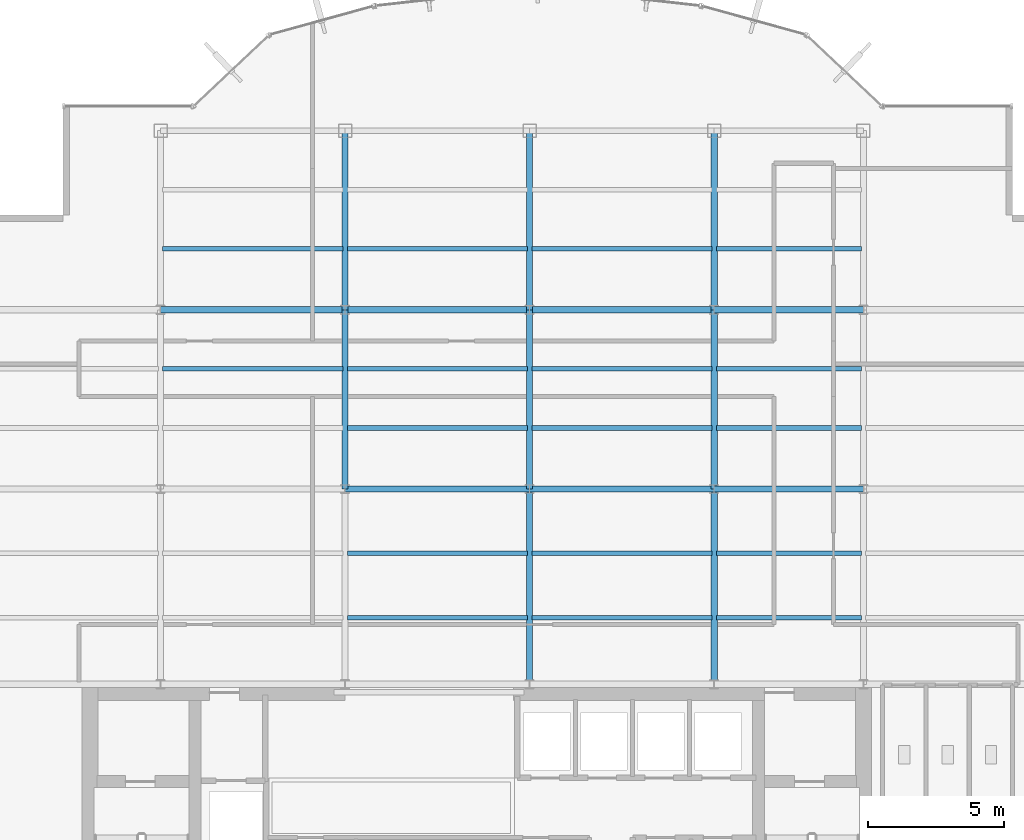
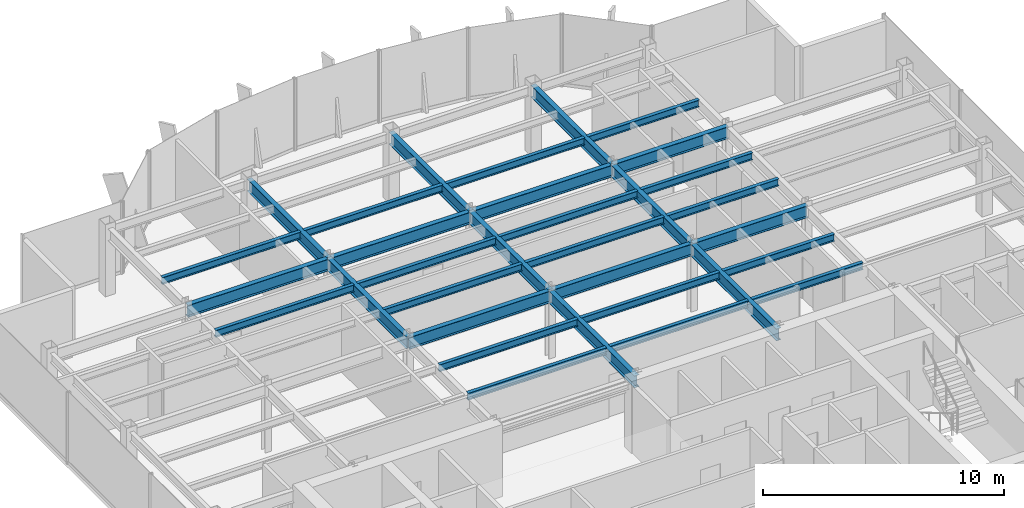
# One storey, part 8 of 22: 32 beams.
"""IFC4 building model written with IfcOpenShell, lengths in metres."""

from ifc_helpers import new_model, si_unit, derived_unit, direction, frame, origin, origin_2d, place, context, subcontext, project, spatial, i_section, extrude, source, transform, mapped, material, material_profile, profile_set, type_object, element, save


model = new_model("IFC4")

# Units and contexts
model_context = context("Model", 3, precision=1e-05, world=origin(), true_north=direction((0.0, 1.0)))
body_context = subcontext(model_context, "Body", "Model", "MODEL_VIEW")
ifc_project = project(units=[si_unit("LENGTHUNIT", "METRE"), si_unit("AREAUNIT", "SQUARE_METRE"), si_unit("VOLUMEUNIT", "CUBIC_METRE"), si_unit("PLANEANGLEUNIT", "RADIAN"), si_unit("MASSUNIT", "GRAM", prefix="KILO"), derived_unit("THERMALTRANSMITTANCEUNIT", [(si_unit("POWERUNIT", "WATT"), 1), (si_unit("LENGTHUNIT", "METRE"), -2), (si_unit("THERMODYNAMICTEMPERATUREUNIT", "KELVIN"), -1)])], contexts=[model_context])

# Site, building, storey
site_placement = place(None, origin())
site = spatial("IfcSite", under=ifc_project, at=site_placement, CompositionType="ELEMENT")
building_placement = place(site_placement, origin())
building = spatial("IfcBuilding", under=site, at=building_placement, Name="Skarnbrae Concourse Arena and Tower", CompositionType="ELEMENT")
storey_placement = place(building_placement, frame((0.0, 0.0, 221.449951171875)))
storey = spatial("IfcBuildingStorey", under=building, at=storey_placement, Name="L57", CompositionType="ELEMENT", Elevation=221.449951171875)

# Beams
ifc_material = material(Name="Steel CSA G40.21 350W", Category="steel")
ifc_material_profile_1 = material_profile(ifc_material, i_section(OverallWidth=0.22802734375, OverallDepth=0.60791015625, WebThickness=0.01123046875, FlangeThickness=0.017333984375, at=origin_2d()), Name="W610X113")
ifc_profile_set_1 = profile_set([ifc_material_profile_1], Name="Steel CSA G40.21 350W")
beam_type_1 = type_object("IfcBeamType", Name="BM-GIRD-W610X113", PredefinedType="BEAM", material=ifc_profile_set_1)
shared_shape_1 = source(origin(), body_context, "Body", "SweptSolid", [
    extrude(i_section(OverallWidth=0.22802734375, OverallDepth=0.60791015625, WebThickness=0.01123046875, FlangeThickness=0.017333984375, at=origin_2d()), origin(), (0.0, 0.0, 1.0), 6.60009765625),
])
for number, where, z_axis, x_axis, name in (
    (1, (14.39990234375, 21.199951171875, 3.095947265625), (0.0, 1.0, 0.0), (-1.0, 0.0, 0.0), "L57 Primary N-S girder X14.4-2"),
    (2, (21.199951171875, 21.199951171875, 3.095947265625), (0.0, 1.0, 0.0), (-1.0, 0.0, 0.0), "L57 Primary N-S girder X21.2-2"),
    (3, (28.0, 21.199951171875, 3.095947265625), (0.0, 1.0, 0.0), (-1.0, 0.0, 0.0), "L57 Primary N-S girder X28.0-2"),
):
    element("IfcBeam", number, at=place(storey_placement, frame(where, z_axis=z_axis, x_axis=x_axis)), inside=storey, type_object=beam_type_1, Name=name, PredefinedType="BEAM", context=body_context, shape_type="MappedRepresentation", body=[
        mapped(shared_shape_1, transform((0.0, 0.0, 0.0))),
    ])
shared_shape_2 = source(origin(), body_context, "Body", "SweptSolid", [
    extrude(i_section(OverallWidth=0.22802734375, OverallDepth=0.60791015625, WebThickness=0.01123046875, FlangeThickness=0.017333984375, at=origin_2d()), origin(), (0.0, 0.0, 1.0), 6.7998046875),
])
beam_placement = place(storey_placement, frame((7.60009765625, 27.800048828125, 3.095947265625), z_axis=(1.0, 0.0, 0.0), x_axis=(0.0, 1.0, 0.0)))
element("IfcBeam", 4, at=beam_placement, inside=storey, type_object=beam_type_1, Name="L57 Primary E-W girder Y27.8-2", PredefinedType="BEAM", context=body_context, shape_type="MappedRepresentation", body=[
    mapped(shared_shape_2, transform((0.0, 0.0, 0.0))),
])
shared_shape_3 = source(origin(), body_context, "Body", "SweptSolid", [
    extrude(i_section(OverallWidth=0.22802734375, OverallDepth=0.60791015625, WebThickness=0.01123046875, FlangeThickness=0.017333984375, at=origin_2d()), origin(), (0.0, 0.0, 1.0), 6.800048828125),
])
for number, where, z_axis, x_axis, name in (
    (5, (14.39990234375, 21.199951171875, 3.095947265625), (1.0, 0.0, 0.0), (0.0, 1.0, 0.0), "L57 Primary E-W girder Y21.2-3"),
    (6, (21.199951171875, 21.199951171875, 3.095947265625), (1.0, 0.0, 0.0), (0.0, 1.0, 0.0), "L57 Primary E-W girder Y21.2-4"),
    (7, (14.39990234375, 27.800048828125, 3.095947265625), (1.0, 0.0, 0.0), (0.0, 1.0, 0.0), "L57 Primary E-W girder Y27.8-3"),
    (8, (21.199951171875, 27.800048828125, 3.095947265625), (1.0, 0.0, 0.0), (0.0, 1.0, 0.0), "L57 Primary E-W girder Y27.8-4"),
):
    element("IfcBeam", number, at=place(storey_placement, frame(where, z_axis=z_axis, x_axis=x_axis)), inside=storey, type_object=beam_type_1, Name=name, PredefinedType="BEAM", context=body_context, shape_type="MappedRepresentation", body=[
        mapped(shared_shape_3, transform((0.0, 0.0, 0.0))),
    ])
shared_shape_4 = source(origin(), body_context, "Body", "SweptSolid", [
    extrude(i_section(OverallWidth=0.22802734375, OverallDepth=0.60791015625, WebThickness=0.01123046875, FlangeThickness=0.017333984375, at=origin_2d()), origin(), (0.0, 0.0, 1.0), 5.5),
])
for number, where, z_axis, x_axis, name in (
    (9, (28.0, 21.199951171875, 3.095947265625), (1.0, 0.0, 0.0), (0.0, 1.0, 0.0), "L57 Primary E-W girder Y21.2-5"),
    (10, (28.0, 27.800048828125, 3.095947265625), (1.0, 0.0, 0.0), (0.0, 1.0, 0.0), "L57 Primary E-W girder Y27.8-5"),
):
    element("IfcBeam", number, at=place(storey_placement, frame(where, z_axis=z_axis, x_axis=x_axis)), inside=storey, type_object=beam_type_1, Name=name, PredefinedType="BEAM", context=body_context, shape_type="MappedRepresentation", body=[
        mapped(shared_shape_4, transform((0.0, 0.0, 0.0))),
    ])
shared_shape_5 = source(origin(), body_context, "Body", "SweptSolid", [
    extrude(i_section(OverallWidth=0.22802734375, OverallDepth=0.60791015625, WebThickness=0.01123046875, FlangeThickness=0.017333984375, at=origin_2d()), origin(), (0.0, 0.0, 1.0), 7.199951171875),
])
for number, where, z_axis, x_axis, name in (
    (11, (21.199951171875, 14.0, 3.095947265625), (0.0, 1.0, 0.0), (-1.0, 0.0, 0.0), "L57 Primary N-S girder X21.2-1"),
    (12, (28.0, 14.0, 3.095947265625), (0.0, 1.0, 0.0), (-1.0, 0.0, 0.0), "L57 Primary N-S girder X28.0-1"),
):
    element("IfcBeam", number, at=place(storey_placement, frame(where, z_axis=z_axis, x_axis=x_axis)), inside=storey, type_object=beam_type_1, Name=name, PredefinedType="BEAM", context=body_context, shape_type="MappedRepresentation", body=[
        mapped(shared_shape_5, transform((0.0, 0.0, 0.0))),
    ])
shared_shape_6 = source(origin(), body_context, "Body", "SweptSolid", [
    extrude(i_section(OverallWidth=0.22802734375, OverallDepth=0.60791015625, WebThickness=0.01123046875, FlangeThickness=0.017333984375, at=origin_2d()), origin(), (0.0, 0.0, 1.0), 6.599853515625),
])
for number, where, z_axis, x_axis, name in (
    (13, (14.39990234375, 27.800048828125, 3.095947265625), (0.0, 1.0, 0.0), (-1.0, 0.0, 0.0), "L57 Primary N-S girder X14.4-3"),
    (14, (21.199951171875, 27.800048828125, 3.095947265625), (0.0, 1.0, 0.0), (-1.0, 0.0, 0.0), "L57 Primary N-S girder X21.2-3"),
    (15, (28.0, 27.800048828125, 3.095947265625), (0.0, 1.0, 0.0), (-1.0, 0.0, 0.0), "L57 Primary N-S girder X28.0-3"),
):
    element("IfcBeam", number, at=place(storey_placement, frame(where, z_axis=z_axis, x_axis=x_axis)), inside=storey, type_object=beam_type_1, Name=name, PredefinedType="BEAM", context=body_context, shape_type="MappedRepresentation", body=[
        mapped(shared_shape_6, transform((0.0, 0.0, 0.0))),
    ])
ifc_material_profile_2 = material_profile(ifc_material, i_section(OverallWidth=0.1708984375, OverallDepth=0.35498046875, WebThickness=0.007080078125, FlangeThickness=0.01171875, at=origin_2d()), Name="W360X51")
ifc_profile_set_2 = profile_set([ifc_material_profile_2], Name="Steel CSA G40.21 350W")
beam_type_2 = type_object("IfcBeamType", Name="BM-JOIST-W360X51", PredefinedType="JOIST", material=ifc_profile_set_2)
shared_shape_7 = source(origin(), body_context, "Body", "SweptSolid", [
    extrude(i_section(OverallWidth=0.1708984375, OverallDepth=0.35498046875, WebThickness=0.007080078125, FlangeThickness=0.01171875, at=origin_2d()), origin(), (0.0, 0.0, 1.0), 6.64013671875),
])
for number, where, z_axis, x_axis, name in (
    (16, (14.47998046875, 16.447998046875, 3.22265625), (1.0, 0.0, 0.0), (0.0, 1.0, 0.0), "L57 Secondary floor joist 1.1.3"),
    (17, (14.47998046875, 18.823974609375, 3.22265625), (1.0, 0.0, 0.0), (0.0, 1.0, 0.0), "L57 Secondary floor joist 1.2.3"),
    (18, (14.47998046875, 23.444091796875, 3.22265625), (1.0, 0.0, 0.0), (0.0, 1.0, 0.0), "L57 Secondary floor joist 2.1.3"),
    (19, (7.679931640625, 25.6220703125, 3.22265625), (1.0, 0.0, 0.0), (0.0, 1.0, 0.0), "L57 Secondary floor joist 2.2.2"),
    (20, (14.47998046875, 25.6220703125, 3.22265625), (1.0, 0.0, 0.0), (0.0, 1.0, 0.0), "L57 Secondary floor joist 2.2.3"),
    (21, (7.679931640625, 30.0439453125, 3.22265625), (1.0, 0.0, 0.0), (0.0, 1.0, 0.0), "L57 Secondary floor joist 3.1.1"),
    (22, (14.47998046875, 30.0439453125, 3.22265625), (1.0, 0.0, 0.0), (0.0, 1.0, 0.0), "L57 Secondary floor joist 3.1.2"),
):
    element("IfcBeam", number, at=place(storey_placement, frame(where, z_axis=z_axis, x_axis=x_axis)), inside=storey, type_object=beam_type_2, Name=name, PredefinedType="JOIST", context=body_context, shape_type="MappedRepresentation", body=[
        mapped(shared_shape_7, transform((0.0, 0.0, 0.0))),
    ])
shared_shape_8 = source(origin(), body_context, "Body", "SweptSolid", [
    extrude(i_section(OverallWidth=0.1708984375, OverallDepth=0.35498046875, WebThickness=0.007080078125, FlangeThickness=0.01171875, at=origin_2d()), origin(), (0.0, 0.0, 1.0), 6.639892578125),
])
for number, where, z_axis, x_axis, name in (
    (23, (21.280029296875, 16.447998046875, 3.22265625), (1.0, 0.0, 0.0), (0.0, 1.0, 0.0), "L57 Secondary floor joist 1.1.4"),
    (24, (21.280029296875, 18.823974609375, 3.22265625), (1.0, 0.0, 0.0), (0.0, 1.0, 0.0), "L57 Secondary floor joist 1.2.4"),
    (25, (21.280029296875, 23.444091796875, 3.22265625), (1.0, 0.0, 0.0), (0.0, 1.0, 0.0), "L57 Secondary floor joist 2.1.4"),
    (26, (21.280029296875, 25.6220703125, 3.22265625), (1.0, 0.0, 0.0), (0.0, 1.0, 0.0), "L57 Secondary floor joist 2.2.4"),
    (27, (21.280029296875, 30.0439453125, 3.22265625), (1.0, 0.0, 0.0), (0.0, 1.0, 0.0), "L57 Secondary floor joist 3.1.3"),
):
    element("IfcBeam", number, at=place(storey_placement, frame(where, z_axis=z_axis, x_axis=x_axis)), inside=storey, type_object=beam_type_2, Name=name, PredefinedType="JOIST", context=body_context, shape_type="MappedRepresentation", body=[
        mapped(shared_shape_8, transform((0.0, 0.0, 0.0))),
    ])
shared_shape_9 = source(origin(), body_context, "Body", "SweptSolid", [
    extrude(i_section(OverallWidth=0.1708984375, OverallDepth=0.35498046875, WebThickness=0.007080078125, FlangeThickness=0.01171875, at=origin_2d()), origin(), (0.0, 0.0, 1.0), 5.33984375),
])
for number, where, z_axis, x_axis, name in (
    (28, (28.080078125, 16.447998046875, 3.22265625), (1.0, 0.0, 0.0), (0.0, 1.0, 0.0), "L57 Secondary floor joist 1.1.5"),
    (29, (28.080078125, 18.823974609375, 3.22265625), (1.0, 0.0, 0.0), (0.0, 1.0, 0.0), "L57 Secondary floor joist 1.2.5"),
    (30, (28.080078125, 23.444091796875, 3.22265625), (1.0, 0.0, 0.0), (0.0, 1.0, 0.0), "L57 Secondary floor joist 2.1.5"),
    (31, (28.080078125, 25.6220703125, 3.22265625), (1.0, 0.0, 0.0), (0.0, 1.0, 0.0), "L57 Secondary floor joist 2.2.5"),
    (32, (28.080078125, 30.0439453125, 3.22265625), (1.0, 0.0, 0.0), (0.0, 1.0, 0.0), "L57 Secondary floor joist 3.1.4"),
):
    element("IfcBeam", number, at=place(storey_placement, frame(where, z_axis=z_axis, x_axis=x_axis)), inside=storey, type_object=beam_type_2, Name=name, PredefinedType="JOIST", context=body_context, shape_type="MappedRepresentation", body=[
        mapped(shared_shape_9, transform((0.0, 0.0, 0.0))),
    ])

save(model, "model.ifc")
